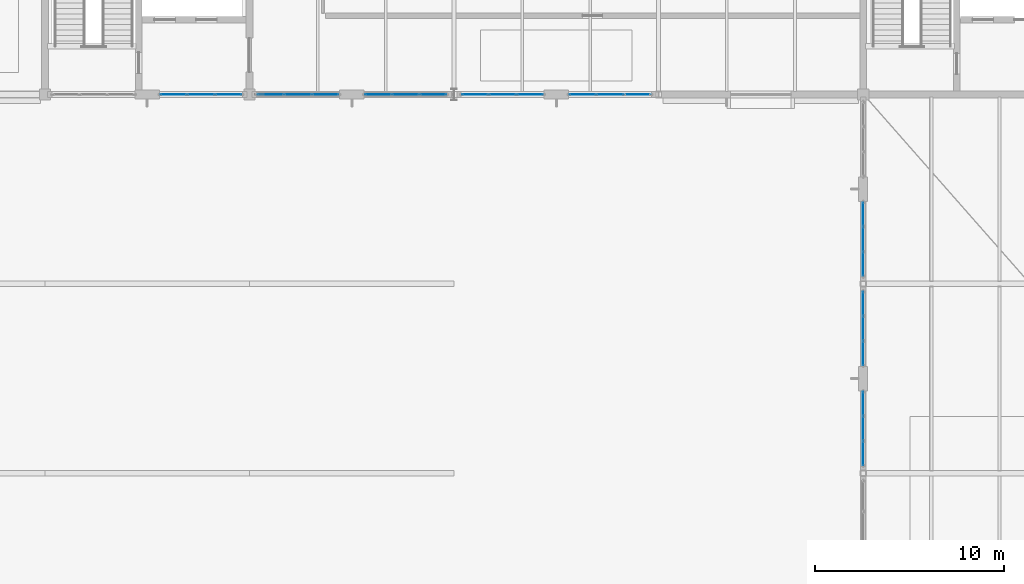
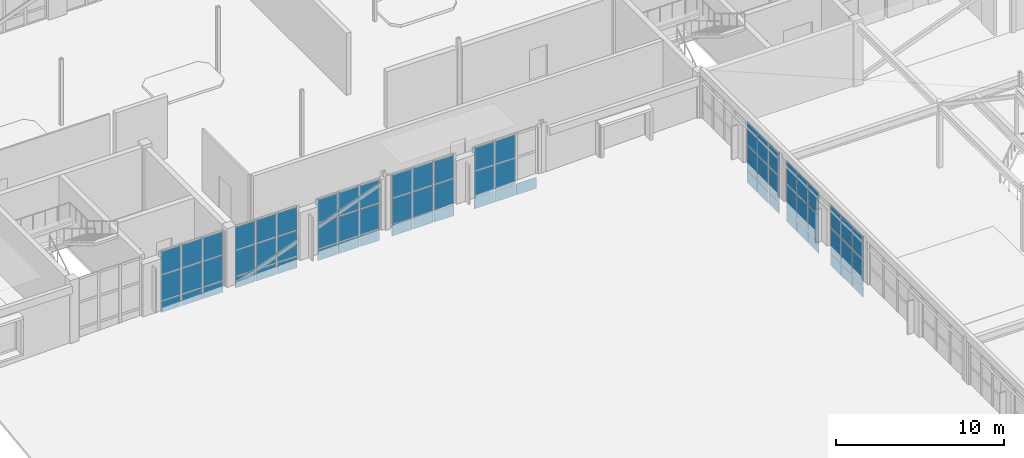
# One storey, part 59 of 86: 70 plates, 8 elements without a shape of their own.
"""IFC4 building model written with IfcOpenShell, lengths in metres."""

from ifc_helpers import new_model, si_unit, direction, frame, origin, origin_2d, place, context, subcontext, project, spatial, rectangle, extrude, material, layer, layer_set, type_object, element, aggregate, save


model = new_model("IFC4")

# Units and contexts
model_context = context("Model", 3, precision=1e-05, world=origin(), true_north=direction((0.0, 1.0)))
body_context = subcontext(model_context, "Body", "Model", "MODEL_VIEW")
ifc_project = project(units=[si_unit("LENGTHUNIT", "METRE"), si_unit("AREAUNIT", "SQUARE_METRE"), si_unit("VOLUMEUNIT", "CUBIC_METRE"), si_unit("PLANEANGLEUNIT", "RADIAN"), si_unit("MASSUNIT", "GRAM", prefix="KILO")], contexts=[model_context])

# Site, building, storey
site_placement = place(None, origin())
site = spatial("IfcSite", under=ifc_project, at=site_placement, CompositionType="ELEMENT")
building_placement = place(site_placement, origin())
building = spatial("IfcBuilding", under=site, at=building_placement, Name="Tasgan Crest Museum", CompositionType="ELEMENT")
storey_placement = place(building_placement, frame((0.0, 0.0, 24.0)))
storey = spatial("IfcBuildingStorey", under=building, at=storey_placement, Name="L04", CompositionType="ELEMENT", Elevation=24.0)

# Curtain wall, plates
ifc_material_1 = material(Name="Triple-Glazed Aluminium Curtain Wall", Category="aluminium")
ifc_layer_1 = layer(ifc_material_1, 0.179931640625, Name="CW-CORE-STRIP-48")
ifc_layer_set_1 = layer_set([ifc_layer_1], Name="Triple-Glazed Aluminium Curtain Wall")
curtain_wall_type_1 = type_object("IfcCurtainWallType", Name="CW-CORE-STRIP-48", PredefinedType="NOTDEFINED", material=ifc_layer_set_1)
curtain_wall_1_placement = place(storey_placement, origin())
curtain_wall_1 = element("IfcCurtainWall", 1, at=curtain_wall_1_placement, inside=storey, type_object=curtain_wall_type_1, Name="Curtain wall L04 172", PredefinedType="NOTDEFINED")
ifc_material_2 = material(Name="Insulated Spandrel Glass", Category="glass")
ifc_layer_2 = layer(ifc_material_2, 0.052001953125, Name="CW-PANEL-SPANDREL")
ifc_layer_set_2 = layer_set([ifc_layer_2], Name="Insulated Spandrel Glass")
plate_type_1 = type_object("IfcPlateType", Name="CW-PANEL-SPANDREL", PredefinedType="CURTAIN_PANEL", material=ifc_layer_set_2)
plate_1_placement = place(storey_placement, frame((17.591552734375, 82.0, 0.06005859375), z_axis=(0.0, 0.0, 1.0), x_axis=(1.0, 0.0, 0.0)))
plate_1 = element("IfcPlate", 2, at=plate_1_placement, type_object=plate_type_1, Name="CW19 panel 1.1", PredefinedType="CURTAIN_PANEL", context=body_context, shape_type="SweptSolid", body=[
    extrude(rectangle(XDim=1.373291015625, YDim=0.028076171875, at=origin_2d()), origin(), (0.0, 0.0, 1.0), 0.81005859375),
])
plate_2_placement = place(storey_placement, frame((19.0400390625, 82.0, 0.06005859375), z_axis=(0.0, 0.0, 1.0), x_axis=(1.0, 0.0, 0.0)))
plate_2 = element("IfcPlate", 3, at=plate_2_placement, type_object=plate_type_1, Name="CW19 panel 2.1", PredefinedType="CURTAIN_PANEL", context=body_context, shape_type="SweptSolid", body=[
    extrude(rectangle(XDim=1.4033203125, YDim=0.028076171875, at=origin_2d()), origin(), (0.0, 0.0, 1.0), 0.81005859375),
])
plate_3_placement = place(storey_placement, frame((20.48828125, 82.0, 0.06005859375), z_axis=(0.0, 0.0, 1.0), x_axis=(1.0, 0.0, 0.0)))
plate_3 = element("IfcPlate", 4, at=plate_3_placement, type_object=plate_type_1, Name="CW19 panel 3.1", PredefinedType="CURTAIN_PANEL", context=body_context, shape_type="SweptSolid", body=[
    extrude(rectangle(XDim=1.373291015625, YDim=0.028076171875, at=origin_2d()), origin(), (0.0, 0.0, 1.0), 0.81005859375),
])

ifc_material_3 = material(Name="Triple-Glazed Aluminium Curtain Wall", Category="aluminium")
ifc_layer_3 = layer(ifc_material_3, 0.179931640625, Name="CW-GAL-X-48")
ifc_layer_set_3 = layer_set([ifc_layer_3], Name="Triple-Glazed Aluminium Curtain Wall")
curtain_wall_type_2 = type_object("IfcCurtainWallType", Name="CW-GAL-X-48", PredefinedType="NOTDEFINED", material=ifc_layer_set_3)
curtain_wall_2_placement = place(storey_placement, origin())
curtain_wall_2 = element("IfcCurtainWall", 5, at=curtain_wall_2_placement, inside=storey, type_object=curtain_wall_type_2, Name="Curtain wall L04 173", PredefinedType="NOTDEFINED")
plate_4_placement = place(storey_placement, frame((22.711669921875, 82.0, 0.06005859375), z_axis=(0.0, 0.0, 1.0), x_axis=(1.0, 0.0, 0.0)))
plate_4 = element("IfcPlate", 6, at=plate_4_placement, type_object=plate_type_1, Name="CW13 panel 1.1", PredefinedType="CURTAIN_PANEL", context=body_context, shape_type="SweptSolid", body=[
    extrude(rectangle(XDim=1.373291015625, YDim=0.028076171875, at=origin_2d()), origin(), (0.0, 0.0, 1.0), 0.81005859375),
])
plate_5_placement = place(storey_placement, frame((24.159912109375, 82.0, 0.06005859375), z_axis=(0.0, 0.0, 1.0), x_axis=(1.0, 0.0, 0.0)))
plate_5 = element("IfcPlate", 7, at=plate_5_placement, type_object=plate_type_1, Name="CW13 panel 2.1", PredefinedType="CURTAIN_PANEL", context=body_context, shape_type="SweptSolid", body=[
    extrude(rectangle(XDim=1.4033203125, YDim=0.028076171875, at=origin_2d()), origin(), (0.0, 0.0, 1.0), 0.81005859375),
])
plate_6_placement = place(storey_placement, frame((25.6083984375, 82.0, 0.06005859375), z_axis=(0.0, 0.0, 1.0), x_axis=(1.0, 0.0, 0.0)))
plate_6 = element("IfcPlate", 8, at=plate_6_placement, type_object=plate_type_1, Name="CW13 panel 3.1", PredefinedType="CURTAIN_PANEL", context=body_context, shape_type="SweptSolid", body=[
    extrude(rectangle(XDim=1.373291015625, YDim=0.028076171875, at=origin_2d()), origin(), (0.0, 0.0, 1.0), 0.81005859375),
])

curtain_wall_3_placement = place(storey_placement, origin())
curtain_wall_3 = element("IfcCurtainWall", 9, at=curtain_wall_3_placement, inside=storey, type_object=curtain_wall_type_2, Name="Curtain wall L04 174", PredefinedType="NOTDEFINED")
plate_7_placement = place(storey_placement, frame((28.3916015625, 82.0, 0.06005859375), z_axis=(0.0, 0.0, 1.0), x_axis=(1.0, 0.0, 0.0)))
plate_7 = element("IfcPlate", 10, at=plate_7_placement, type_object=plate_type_1, Name="CW13 panel 1.1", PredefinedType="CURTAIN_PANEL", context=body_context, shape_type="SweptSolid", body=[
    extrude(rectangle(XDim=1.373291015625, YDim=0.028076171875, at=origin_2d()), origin(), (0.0, 0.0, 1.0), 0.81005859375),
])
plate_8_placement = place(storey_placement, frame((29.840087890625, 82.0, 0.06005859375), z_axis=(0.0, 0.0, 1.0), x_axis=(1.0, 0.0, 0.0)))
plate_8 = element("IfcPlate", 11, at=plate_8_placement, type_object=plate_type_1, Name="CW13 panel 2.1", PredefinedType="CURTAIN_PANEL", context=body_context, shape_type="SweptSolid", body=[
    extrude(rectangle(XDim=1.4033203125, YDim=0.028076171875, at=origin_2d()), origin(), (0.0, 0.0, 1.0), 0.81005859375),
])
plate_9_placement = place(storey_placement, frame((31.288330078125, 82.0, 0.06005859375), z_axis=(0.0, 0.0, 1.0), x_axis=(1.0, 0.0, 0.0)))
plate_9 = element("IfcPlate", 12, at=plate_9_placement, type_object=plate_type_1, Name="CW13 panel 3.1", PredefinedType="CURTAIN_PANEL", context=body_context, shape_type="SweptSolid", body=[
    extrude(rectangle(XDim=1.373291015625, YDim=0.028076171875, at=origin_2d()), origin(), (0.0, 0.0, 1.0), 0.81005859375),
])

curtain_wall_4_placement = place(storey_placement, origin())
curtain_wall_4 = element("IfcCurtainWall", 13, at=curtain_wall_4_placement, inside=storey, type_object=curtain_wall_type_2, Name="Curtain wall L04 175", PredefinedType="NOTDEFINED")
plate_10_placement = place(storey_placement, frame((33.51171875, 82.0, 0.06005859375), z_axis=(0.0, 0.0, 1.0), x_axis=(1.0, 0.0, 0.0)))
plate_10 = element("IfcPlate", 14, at=plate_10_placement, type_object=plate_type_1, Name="CW13 panel 1.1", PredefinedType="CURTAIN_PANEL", context=body_context, shape_type="SweptSolid", body=[
    extrude(rectangle(XDim=1.373291015625, YDim=0.028076171875, at=origin_2d()), origin(), (0.0, 0.0, 1.0), 0.81005859375),
])
plate_11_placement = place(storey_placement, frame((34.9599609375, 82.0, 0.06005859375), z_axis=(0.0, 0.0, 1.0), x_axis=(1.0, 0.0, 0.0)))
plate_11 = element("IfcPlate", 15, at=plate_11_placement, type_object=plate_type_1, Name="CW13 panel 2.1", PredefinedType="CURTAIN_PANEL", context=body_context, shape_type="SweptSolid", body=[
    extrude(rectangle(XDim=1.4033203125, YDim=0.028076171875, at=origin_2d()), origin(), (0.0, 0.0, 1.0), 0.81005859375),
])
plate_12_placement = place(storey_placement, frame((36.408447265625, 82.0, 0.06005859375), z_axis=(0.0, 0.0, 1.0), x_axis=(1.0, 0.0, 0.0)))
plate_12 = element("IfcPlate", 16, at=plate_12_placement, type_object=plate_type_1, Name="CW13 panel 3.1", PredefinedType="CURTAIN_PANEL", context=body_context, shape_type="SweptSolid", body=[
    extrude(rectangle(XDim=1.373291015625, YDim=0.028076171875, at=origin_2d()), origin(), (0.0, 0.0, 1.0), 0.81005859375),
])

curtain_wall_5_placement = place(storey_placement, origin())
curtain_wall_5 = element("IfcCurtainWall", 17, at=curtain_wall_5_placement, inside=storey, type_object=curtain_wall_type_2, Name="Curtain wall L04 176", PredefinedType="NOTDEFINED")
plate_13_placement = place(storey_placement, frame((39.191650390625, 82.0, 0.06005859375), z_axis=(0.0, 0.0, 1.0), x_axis=(1.0, 0.0, 0.0)))
plate_13 = element("IfcPlate", 18, at=plate_13_placement, type_object=plate_type_1, Name="CW13 panel 1.1", PredefinedType="CURTAIN_PANEL", context=body_context, shape_type="SweptSolid", body=[
    extrude(rectangle(XDim=1.373291015625, YDim=0.028076171875, at=origin_2d()), origin(), (0.0, 0.0, 1.0), 0.81005859375),
])
plate_14_placement = place(storey_placement, frame((40.639892578125, 82.0, 0.06005859375), z_axis=(0.0, 0.0, 1.0), x_axis=(1.0, 0.0, 0.0)))
plate_14 = element("IfcPlate", 19, at=plate_14_placement, type_object=plate_type_1, Name="CW13 panel 2.1", PredefinedType="CURTAIN_PANEL", context=body_context, shape_type="SweptSolid", body=[
    extrude(rectangle(XDim=1.4033203125, YDim=0.028076171875, at=origin_2d()), origin(), (0.0, 0.0, 1.0), 0.81005859375),
])
plate_15_placement = place(storey_placement, frame((42.08837890625, 82.0, 0.06005859375), z_axis=(0.0, 0.0, 1.0), x_axis=(1.0, 0.0, 0.0)))
plate_15 = element("IfcPlate", 20, at=plate_15_placement, type_object=plate_type_1, Name="CW13 panel 3.1", PredefinedType="CURTAIN_PANEL", context=body_context, shape_type="SweptSolid", body=[
    extrude(rectangle(XDim=1.373291015625, YDim=0.028076171875, at=origin_2d()), origin(), (0.0, 0.0, 1.0), 0.81005859375),
])

ifc_material_4 = material(Name="Triple-Glazed Aluminium Curtain Wall", Category="aluminium")
ifc_layer_4 = layer(ifc_material_4, 0.179931640625, Name="CW-DRUM-Y10-48")
ifc_layer_set_4 = layer_set([ifc_layer_4], Name="Triple-Glazed Aluminium Curtain Wall")
curtain_wall_type_3 = type_object("IfcCurtainWallType", Name="CW-DRUM-Y10-48", PredefinedType="NOTDEFINED", material=ifc_layer_set_4)
curtain_wall_6_placement = place(storey_placement, origin())
curtain_wall_6 = element("IfcCurtainWall", 21, at=curtain_wall_6_placement, inside=storey, type_object=curtain_wall_type_3, Name="Curtain wall L04 178", PredefinedType="NOTDEFINED")
plate_16_placement = place(storey_placement, frame((54.0, 75.675048828125, 0.06005859375), z_axis=(0.0, 0.0, 1.0), x_axis=(0.0, -1.0, 0.0)))
plate_16 = element("IfcPlate", 22, at=plate_16_placement, type_object=plate_type_1, Name="CW04 panel 1.1", PredefinedType="CURTAIN_PANEL", context=body_context, shape_type="SweptSolid", body=[
    extrude(rectangle(XDim=1.239990234375, YDim=0.028076171875, at=origin_2d()), origin(), (0.0, 0.0, 1.0), 0.81005859375),
])
plate_17_placement = place(storey_placement, frame((54.0, 74.360107421875, 0.06005859375), z_axis=(0.0, 0.0, 1.0), x_axis=(0.0, -1.0, 0.0)))
plate_17 = element("IfcPlate", 23, at=plate_17_placement, type_object=plate_type_1, Name="CW04 panel 2.1", PredefinedType="CURTAIN_PANEL", context=body_context, shape_type="SweptSolid", body=[
    extrude(rectangle(XDim=1.27001953125, YDim=0.028076171875, at=origin_2d()), origin(), (0.0, 0.0, 1.0), 0.81005859375),
])
plate_18_placement = place(storey_placement, frame((54.0, 73.044921875, 0.06005859375), z_axis=(0.0, 0.0, 1.0), x_axis=(0.0, -1.0, 0.0)))
plate_18 = element("IfcPlate", 24, at=plate_18_placement, type_object=plate_type_1, Name="CW04 panel 3.1", PredefinedType="CURTAIN_PANEL", context=body_context, shape_type="SweptSolid", body=[
    extrude(rectangle(XDim=1.239990234375, YDim=0.028076171875, at=origin_2d()), origin(), (0.0, 0.0, 1.0), 0.81005859375),
])

curtain_wall_7_placement = place(storey_placement, origin())
curtain_wall_7 = element("IfcCurtainWall", 25, at=curtain_wall_7_placement, inside=storey, type_object=curtain_wall_type_3, Name="Curtain wall L04 179", PredefinedType="NOTDEFINED")
plate_19_placement = place(storey_placement, frame((54.0, 70.955078125, 0.06005859375), z_axis=(0.0, 0.0, 1.0), x_axis=(0.0, -1.0, 0.0)))
plate_19 = element("IfcPlate", 26, at=plate_19_placement, type_object=plate_type_1, Name="CW04 panel 1.1", PredefinedType="CURTAIN_PANEL", context=body_context, shape_type="SweptSolid", body=[
    extrude(rectangle(XDim=1.239990234375, YDim=0.028076171875, at=origin_2d()), origin(), (0.0, 0.0, 1.0), 0.81005859375),
])
plate_20_placement = place(storey_placement, frame((54.0, 69.639892578125, 0.06005859375), z_axis=(0.0, 0.0, 1.0), x_axis=(0.0, -1.0, 0.0)))
plate_20 = element("IfcPlate", 27, at=plate_20_placement, type_object=plate_type_1, Name="CW04 panel 2.1", PredefinedType="CURTAIN_PANEL", context=body_context, shape_type="SweptSolid", body=[
    extrude(rectangle(XDim=1.27001953125, YDim=0.028076171875, at=origin_2d()), origin(), (0.0, 0.0, 1.0), 0.81005859375),
])
plate_21_placement = place(storey_placement, frame((54.0, 68.324951171875, 0.06005859375), z_axis=(0.0, 0.0, 1.0), x_axis=(0.0, -1.0, 0.0)))
plate_21 = element("IfcPlate", 28, at=plate_21_placement, type_object=plate_type_1, Name="CW04 panel 3.1", PredefinedType="CURTAIN_PANEL", context=body_context, shape_type="SweptSolid", body=[
    extrude(rectangle(XDim=1.239990234375, YDim=0.028076171875, at=origin_2d()), origin(), (0.0, 0.0, 1.0), 0.81005859375),
])

curtain_wall_8_placement = place(storey_placement, origin())
curtain_wall_8 = element("IfcCurtainWall", 29, at=curtain_wall_8_placement, inside=storey, type_object=curtain_wall_type_3, Name="Curtain wall L04 180", PredefinedType="NOTDEFINED")
plate_22_placement = place(storey_placement, frame((54.0, 65.675048828125, 0.06005859375), z_axis=(0.0, 0.0, 1.0), x_axis=(0.0, -1.0, 0.0)))
plate_22 = element("IfcPlate", 30, at=plate_22_placement, type_object=plate_type_1, Name="CW04 panel 1.1", PredefinedType="CURTAIN_PANEL", context=body_context, shape_type="SweptSolid", body=[
    extrude(rectangle(XDim=1.239990234375, YDim=0.028076171875, at=origin_2d()), origin(), (0.0, 0.0, 1.0), 0.81005859375),
])
plate_23_placement = place(storey_placement, frame((54.0, 64.360107421875, 0.06005859375), z_axis=(0.0, 0.0, 1.0), x_axis=(0.0, -1.0, 0.0)))
plate_23 = element("IfcPlate", 31, at=plate_23_placement, type_object=plate_type_1, Name="CW04 panel 2.1", PredefinedType="CURTAIN_PANEL", context=body_context, shape_type="SweptSolid", body=[
    extrude(rectangle(XDim=1.27001953125, YDim=0.028076171875, at=origin_2d()), origin(), (0.0, 0.0, 1.0), 0.81005859375),
])
plate_24_placement = place(storey_placement, frame((54.0, 63.044921875, 0.06005859375), z_axis=(0.0, 0.0, 1.0), x_axis=(0.0, -1.0, 0.0)))
plate_24 = element("IfcPlate", 32, at=plate_24_placement, type_object=plate_type_1, Name="CW04 panel 3.1", PredefinedType="CURTAIN_PANEL", context=body_context, shape_type="SweptSolid", body=[
    extrude(rectangle(XDim=1.239990234375, YDim=0.028076171875, at=origin_2d()), origin(), (0.0, 0.0, 1.0), 0.81005859375),
])

# Plate
ifc_material_5 = material(Name="Low-E Triple Glazing", Category="glass")
ifc_layer_5 = layer(ifc_material_5, 0.0439453125, Name="CW-PANEL-TRIPLE")
ifc_layer_set_5 = layer_set([ifc_layer_5], Name="Low-E Triple Glazing")
plate_type_2 = type_object("IfcPlateType", Name="CW-PANEL-TRIPLE", PredefinedType="CURTAIN_PANEL", material=ifc_layer_set_5)
plate_25_placement = place(storey_placement, frame((17.591552734375, 82.0, 0.93017578125), z_axis=(0.0, 0.0, 1.0), x_axis=(1.0, 0.0, 0.0)))
plate_25 = element("IfcPlate", 33, at=plate_25_placement, type_object=plate_type_2, Name="CW19 panel 1.2", PredefinedType="CURTAIN_PANEL", context=body_context, shape_type="SweptSolid", body=[
    extrude(rectangle(XDim=1.373291015625, YDim=0.028076171875, at=origin_2d()), origin(), (0.0, 0.0, 1.0), 1.840087890625),
])

plate_26_placement = place(storey_placement, frame((17.591552734375, 82.0, 2.830078125), z_axis=(0.0, 0.0, 1.0), x_axis=(1.0, 0.0, 0.0)))
plate_26 = element("IfcPlate", 34, at=plate_26_placement, type_object=plate_type_2, Name="CW19 panel 1.3", PredefinedType="CURTAIN_PANEL", context=body_context, shape_type="SweptSolid", body=[
    extrude(rectangle(XDim=1.373291015625, YDim=0.028076171875, at=origin_2d()), origin(), (0.0, 0.0, 1.0), 1.669921875),
])

plate_27_placement = place(storey_placement, frame((19.0400390625, 82.0, 0.93017578125), z_axis=(0.0, 0.0, 1.0), x_axis=(1.0, 0.0, 0.0)))
plate_27 = element("IfcPlate", 35, at=plate_27_placement, type_object=plate_type_2, Name="CW19 panel 2.2", PredefinedType="CURTAIN_PANEL", context=body_context, shape_type="SweptSolid", body=[
    extrude(rectangle(XDim=1.4033203125, YDim=0.028076171875, at=origin_2d()), origin(), (0.0, 0.0, 1.0), 1.840087890625),
])

plate_28_placement = place(storey_placement, frame((19.0400390625, 82.0, 2.830078125), z_axis=(0.0, 0.0, 1.0), x_axis=(1.0, 0.0, 0.0)))
plate_28 = element("IfcPlate", 36, at=plate_28_placement, type_object=plate_type_2, Name="CW19 panel 2.3", PredefinedType="CURTAIN_PANEL", context=body_context, shape_type="SweptSolid", body=[
    extrude(rectangle(XDim=1.4033203125, YDim=0.028076171875, at=origin_2d()), origin(), (0.0, 0.0, 1.0), 1.669921875),
])

plate_29_placement = place(storey_placement, frame((20.48828125, 82.0, 0.93017578125), z_axis=(0.0, 0.0, 1.0), x_axis=(1.0, 0.0, 0.0)))
plate_29 = element("IfcPlate", 37, at=plate_29_placement, type_object=plate_type_2, Name="CW19 panel 3.2", PredefinedType="CURTAIN_PANEL", context=body_context, shape_type="SweptSolid", body=[
    extrude(rectangle(XDim=1.373291015625, YDim=0.028076171875, at=origin_2d()), origin(), (0.0, 0.0, 1.0), 1.840087890625),
])

plate_30_placement = place(storey_placement, frame((20.48828125, 82.0, 2.830078125), z_axis=(0.0, 0.0, 1.0), x_axis=(1.0, 0.0, 0.0)))
plate_30 = element("IfcPlate", 38, at=plate_30_placement, type_object=plate_type_2, Name="CW19 panel 3.3", PredefinedType="CURTAIN_PANEL", context=body_context, shape_type="SweptSolid", body=[
    extrude(rectangle(XDim=1.373291015625, YDim=0.028076171875, at=origin_2d()), origin(), (0.0, 0.0, 1.0), 1.669921875),
])

aggregate(curtain_wall_1, [plate_1, plate_25, plate_26, plate_2, plate_27, plate_28, plate_3, plate_29, plate_30])

plate_31_placement = place(storey_placement, frame((22.711669921875, 82.0, 0.93017578125), z_axis=(0.0, 0.0, 1.0), x_axis=(1.0, 0.0, 0.0)))
plate_31 = element("IfcPlate", 39, at=plate_31_placement, type_object=plate_type_2, Name="CW13 panel 1.2", PredefinedType="CURTAIN_PANEL", context=body_context, shape_type="SweptSolid", body=[
    extrude(rectangle(XDim=1.373291015625, YDim=0.028076171875, at=origin_2d()), origin(), (0.0, 0.0, 1.0), 1.840087890625),
])

plate_32_placement = place(storey_placement, frame((22.711669921875, 82.0, 2.830078125), z_axis=(0.0, 0.0, 1.0), x_axis=(1.0, 0.0, 0.0)))
plate_32 = element("IfcPlate", 40, at=plate_32_placement, type_object=plate_type_2, Name="CW13 panel 1.3", PredefinedType="CURTAIN_PANEL", context=body_context, shape_type="SweptSolid", body=[
    extrude(rectangle(XDim=1.373291015625, YDim=0.028076171875, at=origin_2d()), origin(), (0.0, 0.0, 1.0), 1.669921875),
])

plate_33_placement = place(storey_placement, frame((24.159912109375, 82.0, 0.93017578125), z_axis=(0.0, 0.0, 1.0), x_axis=(1.0, 0.0, 0.0)))
plate_33 = element("IfcPlate", 41, at=plate_33_placement, type_object=plate_type_2, Name="CW13 panel 2.2", PredefinedType="CURTAIN_PANEL", context=body_context, shape_type="SweptSolid", body=[
    extrude(rectangle(XDim=1.4033203125, YDim=0.028076171875, at=origin_2d()), origin(), (0.0, 0.0, 1.0), 1.840087890625),
])

plate_34_placement = place(storey_placement, frame((24.159912109375, 82.0, 2.830078125), z_axis=(0.0, 0.0, 1.0), x_axis=(1.0, 0.0, 0.0)))
plate_34 = element("IfcPlate", 42, at=plate_34_placement, type_object=plate_type_2, Name="CW13 panel 2.3", PredefinedType="CURTAIN_PANEL", context=body_context, shape_type="SweptSolid", body=[
    extrude(rectangle(XDim=1.4033203125, YDim=0.028076171875, at=origin_2d()), origin(), (0.0, 0.0, 1.0), 1.669921875),
])

plate_35_placement = place(storey_placement, frame((25.6083984375, 82.0, 0.93017578125), z_axis=(0.0, 0.0, 1.0), x_axis=(1.0, 0.0, 0.0)))
plate_35 = element("IfcPlate", 43, at=plate_35_placement, type_object=plate_type_2, Name="CW13 panel 3.2", PredefinedType="CURTAIN_PANEL", context=body_context, shape_type="SweptSolid", body=[
    extrude(rectangle(XDim=1.373291015625, YDim=0.028076171875, at=origin_2d()), origin(), (0.0, 0.0, 1.0), 1.840087890625),
])

plate_36_placement = place(storey_placement, frame((25.6083984375, 82.0, 2.830078125), z_axis=(0.0, 0.0, 1.0), x_axis=(1.0, 0.0, 0.0)))
plate_36 = element("IfcPlate", 44, at=plate_36_placement, type_object=plate_type_2, Name="CW13 panel 3.3", PredefinedType="CURTAIN_PANEL", context=body_context, shape_type="SweptSolid", body=[
    extrude(rectangle(XDim=1.373291015625, YDim=0.028076171875, at=origin_2d()), origin(), (0.0, 0.0, 1.0), 1.669921875),
])

aggregate(curtain_wall_2, [plate_4, plate_31, plate_32, plate_5, plate_33, plate_34, plate_6, plate_35, plate_36])

plate_37_placement = place(storey_placement, frame((28.3916015625, 82.0, 0.93017578125), z_axis=(0.0, 0.0, 1.0), x_axis=(1.0, 0.0, 0.0)))
plate_37 = element("IfcPlate", 45, at=plate_37_placement, type_object=plate_type_2, Name="CW13 panel 1.2", PredefinedType="CURTAIN_PANEL", context=body_context, shape_type="SweptSolid", body=[
    extrude(rectangle(XDim=1.373291015625, YDim=0.028076171875, at=origin_2d()), origin(), (0.0, 0.0, 1.0), 1.840087890625),
])

plate_38_placement = place(storey_placement, frame((28.3916015625, 82.0, 2.830078125), z_axis=(0.0, 0.0, 1.0), x_axis=(1.0, 0.0, 0.0)))
plate_38 = element("IfcPlate", 46, at=plate_38_placement, type_object=plate_type_2, Name="CW13 panel 1.3", PredefinedType="CURTAIN_PANEL", context=body_context, shape_type="SweptSolid", body=[
    extrude(rectangle(XDim=1.373291015625, YDim=0.028076171875, at=origin_2d()), origin(), (0.0, 0.0, 1.0), 1.669921875),
])

plate_39_placement = place(storey_placement, frame((29.840087890625, 82.0, 0.93017578125), z_axis=(0.0, 0.0, 1.0), x_axis=(1.0, 0.0, 0.0)))
plate_39 = element("IfcPlate", 47, at=plate_39_placement, type_object=plate_type_2, Name="CW13 panel 2.2", PredefinedType="CURTAIN_PANEL", context=body_context, shape_type="SweptSolid", body=[
    extrude(rectangle(XDim=1.4033203125, YDim=0.028076171875, at=origin_2d()), origin(), (0.0, 0.0, 1.0), 1.840087890625),
])

plate_40_placement = place(storey_placement, frame((29.840087890625, 82.0, 2.830078125), z_axis=(0.0, 0.0, 1.0), x_axis=(1.0, 0.0, 0.0)))
plate_40 = element("IfcPlate", 48, at=plate_40_placement, type_object=plate_type_2, Name="CW13 panel 2.3", PredefinedType="CURTAIN_PANEL", context=body_context, shape_type="SweptSolid", body=[
    extrude(rectangle(XDim=1.4033203125, YDim=0.028076171875, at=origin_2d()), origin(), (0.0, 0.0, 1.0), 1.669921875),
])

plate_41_placement = place(storey_placement, frame((31.288330078125, 82.0, 0.93017578125), z_axis=(0.0, 0.0, 1.0), x_axis=(1.0, 0.0, 0.0)))
plate_41 = element("IfcPlate", 49, at=plate_41_placement, type_object=plate_type_2, Name="CW13 panel 3.2", PredefinedType="CURTAIN_PANEL", context=body_context, shape_type="SweptSolid", body=[
    extrude(rectangle(XDim=1.373291015625, YDim=0.028076171875, at=origin_2d()), origin(), (0.0, 0.0, 1.0), 1.840087890625),
])

plate_42_placement = place(storey_placement, frame((31.288330078125, 82.0, 2.830078125), z_axis=(0.0, 0.0, 1.0), x_axis=(1.0, 0.0, 0.0)))
plate_42 = element("IfcPlate", 50, at=plate_42_placement, type_object=plate_type_2, Name="CW13 panel 3.3", PredefinedType="CURTAIN_PANEL", context=body_context, shape_type="SweptSolid", body=[
    extrude(rectangle(XDim=1.373291015625, YDim=0.028076171875, at=origin_2d()), origin(), (0.0, 0.0, 1.0), 1.669921875),
])

aggregate(curtain_wall_3, [plate_7, plate_37, plate_38, plate_8, plate_39, plate_40, plate_9, plate_41, plate_42])

plate_43_placement = place(storey_placement, frame((33.51171875, 82.0, 0.93017578125), z_axis=(0.0, 0.0, 1.0), x_axis=(1.0, 0.0, 0.0)))
plate_43 = element("IfcPlate", 51, at=plate_43_placement, type_object=plate_type_2, Name="CW13 panel 1.2", PredefinedType="CURTAIN_PANEL", context=body_context, shape_type="SweptSolid", body=[
    extrude(rectangle(XDim=1.373291015625, YDim=0.028076171875, at=origin_2d()), origin(), (0.0, 0.0, 1.0), 1.840087890625),
])

plate_44_placement = place(storey_placement, frame((33.51171875, 82.0, 2.830078125), z_axis=(0.0, 0.0, 1.0), x_axis=(1.0, 0.0, 0.0)))
plate_44 = element("IfcPlate", 52, at=plate_44_placement, type_object=plate_type_2, Name="CW13 panel 1.3", PredefinedType="CURTAIN_PANEL", context=body_context, shape_type="SweptSolid", body=[
    extrude(rectangle(XDim=1.373291015625, YDim=0.028076171875, at=origin_2d()), origin(), (0.0, 0.0, 1.0), 1.669921875),
])

plate_45_placement = place(storey_placement, frame((34.9599609375, 82.0, 0.93017578125), z_axis=(0.0, 0.0, 1.0), x_axis=(1.0, 0.0, 0.0)))
plate_45 = element("IfcPlate", 53, at=plate_45_placement, type_object=plate_type_2, Name="CW13 panel 2.2", PredefinedType="CURTAIN_PANEL", context=body_context, shape_type="SweptSolid", body=[
    extrude(rectangle(XDim=1.4033203125, YDim=0.028076171875, at=origin_2d()), origin(), (0.0, 0.0, 1.0), 1.840087890625),
])

plate_46_placement = place(storey_placement, frame((34.9599609375, 82.0, 2.830078125), z_axis=(0.0, 0.0, 1.0), x_axis=(1.0, 0.0, 0.0)))
plate_46 = element("IfcPlate", 54, at=plate_46_placement, type_object=plate_type_2, Name="CW13 panel 2.3", PredefinedType="CURTAIN_PANEL", context=body_context, shape_type="SweptSolid", body=[
    extrude(rectangle(XDim=1.4033203125, YDim=0.028076171875, at=origin_2d()), origin(), (0.0, 0.0, 1.0), 1.669921875),
])

plate_47_placement = place(storey_placement, frame((36.408447265625, 82.0, 0.93017578125), z_axis=(0.0, 0.0, 1.0), x_axis=(1.0, 0.0, 0.0)))
plate_47 = element("IfcPlate", 55, at=plate_47_placement, type_object=plate_type_2, Name="CW13 panel 3.2", PredefinedType="CURTAIN_PANEL", context=body_context, shape_type="SweptSolid", body=[
    extrude(rectangle(XDim=1.373291015625, YDim=0.028076171875, at=origin_2d()), origin(), (0.0, 0.0, 1.0), 1.840087890625),
])

plate_48_placement = place(storey_placement, frame((36.408447265625, 82.0, 2.830078125), z_axis=(0.0, 0.0, 1.0), x_axis=(1.0, 0.0, 0.0)))
plate_48 = element("IfcPlate", 56, at=plate_48_placement, type_object=plate_type_2, Name="CW13 panel 3.3", PredefinedType="CURTAIN_PANEL", context=body_context, shape_type="SweptSolid", body=[
    extrude(rectangle(XDim=1.373291015625, YDim=0.028076171875, at=origin_2d()), origin(), (0.0, 0.0, 1.0), 1.669921875),
])

aggregate(curtain_wall_4, [plate_10, plate_43, plate_44, plate_11, plate_45, plate_46, plate_12, plate_47, plate_48])

plate_49_placement = place(storey_placement, frame((39.191650390625, 82.0, 0.93017578125), z_axis=(0.0, 0.0, 1.0), x_axis=(1.0, 0.0, 0.0)))
plate_49 = element("IfcPlate", 57, at=plate_49_placement, type_object=plate_type_2, Name="CW13 panel 1.2", PredefinedType="CURTAIN_PANEL", context=body_context, shape_type="SweptSolid", body=[
    extrude(rectangle(XDim=1.373291015625, YDim=0.028076171875, at=origin_2d()), origin(), (0.0, 0.0, 1.0), 1.840087890625),
])

plate_50_placement = place(storey_placement, frame((39.191650390625, 82.0, 2.830078125), z_axis=(0.0, 0.0, 1.0), x_axis=(1.0, 0.0, 0.0)))
plate_50 = element("IfcPlate", 58, at=plate_50_placement, type_object=plate_type_2, Name="CW13 panel 1.3", PredefinedType="CURTAIN_PANEL", context=body_context, shape_type="SweptSolid", body=[
    extrude(rectangle(XDim=1.373291015625, YDim=0.028076171875, at=origin_2d()), origin(), (0.0, 0.0, 1.0), 1.669921875),
])

plate_51_placement = place(storey_placement, frame((40.639892578125, 82.0, 0.93017578125), z_axis=(0.0, 0.0, 1.0), x_axis=(1.0, 0.0, 0.0)))
plate_51 = element("IfcPlate", 59, at=plate_51_placement, type_object=plate_type_2, Name="CW13 panel 2.2", PredefinedType="CURTAIN_PANEL", context=body_context, shape_type="SweptSolid", body=[
    extrude(rectangle(XDim=1.4033203125, YDim=0.028076171875, at=origin_2d()), origin(), (0.0, 0.0, 1.0), 1.840087890625),
])

plate_52_placement = place(storey_placement, frame((40.639892578125, 82.0, 2.830078125), z_axis=(0.0, 0.0, 1.0), x_axis=(1.0, 0.0, 0.0)))
plate_52 = element("IfcPlate", 60, at=plate_52_placement, type_object=plate_type_2, Name="CW13 panel 2.3", PredefinedType="CURTAIN_PANEL", context=body_context, shape_type="SweptSolid", body=[
    extrude(rectangle(XDim=1.4033203125, YDim=0.028076171875, at=origin_2d()), origin(), (0.0, 0.0, 1.0), 1.669921875),
])

aggregate(curtain_wall_5, [plate_13, plate_49, plate_50, plate_14, plate_51, plate_52, plate_15])

plate_53_placement = place(storey_placement, frame((54.0, 75.675048828125, 0.93017578125), z_axis=(0.0, 0.0, 1.0), x_axis=(0.0, -1.0, 0.0)))
plate_53 = element("IfcPlate", 61, at=plate_53_placement, type_object=plate_type_2, Name="CW04 panel 1.2", PredefinedType="CURTAIN_PANEL", context=body_context, shape_type="SweptSolid", body=[
    extrude(rectangle(XDim=1.239990234375, YDim=0.028076171875, at=origin_2d()), origin(), (0.0, 0.0, 1.0), 1.840087890625),
])

plate_54_placement = place(storey_placement, frame((54.0, 75.675048828125, 2.830078125), z_axis=(0.0, 0.0, 1.0), x_axis=(0.0, -1.0, 0.0)))
plate_54 = element("IfcPlate", 62, at=plate_54_placement, type_object=plate_type_2, Name="CW04 panel 1.3", PredefinedType="CURTAIN_PANEL", context=body_context, shape_type="SweptSolid", body=[
    extrude(rectangle(XDim=1.239990234375, YDim=0.028076171875, at=origin_2d()), origin(), (0.0, 0.0, 1.0), 1.669921875),
])

plate_55_placement = place(storey_placement, frame((54.0, 74.360107421875, 0.93017578125), z_axis=(0.0, 0.0, 1.0), x_axis=(0.0, -1.0, 0.0)))
plate_55 = element("IfcPlate", 63, at=plate_55_placement, type_object=plate_type_2, Name="CW04 panel 2.2", PredefinedType="CURTAIN_PANEL", context=body_context, shape_type="SweptSolid", body=[
    extrude(rectangle(XDim=1.27001953125, YDim=0.028076171875, at=origin_2d()), origin(), (0.0, 0.0, 1.0), 1.840087890625),
])

plate_56_placement = place(storey_placement, frame((54.0, 74.360107421875, 2.830078125), z_axis=(0.0, 0.0, 1.0), x_axis=(0.0, -1.0, 0.0)))
plate_56 = element("IfcPlate", 64, at=plate_56_placement, type_object=plate_type_2, Name="CW04 panel 2.3", PredefinedType="CURTAIN_PANEL", context=body_context, shape_type="SweptSolid", body=[
    extrude(rectangle(XDim=1.27001953125, YDim=0.028076171875, at=origin_2d()), origin(), (0.0, 0.0, 1.0), 1.669921875),
])

plate_57_placement = place(storey_placement, frame((54.0, 73.044921875, 0.93017578125), z_axis=(0.0, 0.0, 1.0), x_axis=(0.0, -1.0, 0.0)))
plate_57 = element("IfcPlate", 65, at=plate_57_placement, type_object=plate_type_2, Name="CW04 panel 3.2", PredefinedType="CURTAIN_PANEL", context=body_context, shape_type="SweptSolid", body=[
    extrude(rectangle(XDim=1.239990234375, YDim=0.028076171875, at=origin_2d()), origin(), (0.0, 0.0, 1.0), 1.840087890625),
])

plate_58_placement = place(storey_placement, frame((54.0, 73.044921875, 2.830078125), z_axis=(0.0, 0.0, 1.0), x_axis=(0.0, -1.0, 0.0)))
plate_58 = element("IfcPlate", 66, at=plate_58_placement, type_object=plate_type_2, Name="CW04 panel 3.3", PredefinedType="CURTAIN_PANEL", context=body_context, shape_type="SweptSolid", body=[
    extrude(rectangle(XDim=1.239990234375, YDim=0.028076171875, at=origin_2d()), origin(), (0.0, 0.0, 1.0), 1.669921875),
])

aggregate(curtain_wall_6, [plate_16, plate_53, plate_54, plate_17, plate_55, plate_56, plate_18, plate_57, plate_58])

plate_59_placement = place(storey_placement, frame((54.0, 70.955078125, 0.93017578125), z_axis=(0.0, 0.0, 1.0), x_axis=(0.0, -1.0, 0.0)))
plate_59 = element("IfcPlate", 67, at=plate_59_placement, type_object=plate_type_2, Name="CW04 panel 1.2", PredefinedType="CURTAIN_PANEL", context=body_context, shape_type="SweptSolid", body=[
    extrude(rectangle(XDim=1.239990234375, YDim=0.028076171875, at=origin_2d()), origin(), (0.0, 0.0, 1.0), 1.840087890625),
])

plate_60_placement = place(storey_placement, frame((54.0, 70.955078125, 2.830078125), z_axis=(0.0, 0.0, 1.0), x_axis=(0.0, -1.0, 0.0)))
plate_60 = element("IfcPlate", 68, at=plate_60_placement, type_object=plate_type_2, Name="CW04 panel 1.3", PredefinedType="CURTAIN_PANEL", context=body_context, shape_type="SweptSolid", body=[
    extrude(rectangle(XDim=1.239990234375, YDim=0.028076171875, at=origin_2d()), origin(), (0.0, 0.0, 1.0), 1.669921875),
])

plate_61_placement = place(storey_placement, frame((54.0, 69.639892578125, 0.93017578125), z_axis=(0.0, 0.0, 1.0), x_axis=(0.0, -1.0, 0.0)))
plate_61 = element("IfcPlate", 69, at=plate_61_placement, type_object=plate_type_2, Name="CW04 panel 2.2", PredefinedType="CURTAIN_PANEL", context=body_context, shape_type="SweptSolid", body=[
    extrude(rectangle(XDim=1.27001953125, YDim=0.028076171875, at=origin_2d()), origin(), (0.0, 0.0, 1.0), 1.840087890625),
])

plate_62_placement = place(storey_placement, frame((54.0, 69.639892578125, 2.830078125), z_axis=(0.0, 0.0, 1.0), x_axis=(0.0, -1.0, 0.0)))
plate_62 = element("IfcPlate", 70, at=plate_62_placement, type_object=plate_type_2, Name="CW04 panel 2.3", PredefinedType="CURTAIN_PANEL", context=body_context, shape_type="SweptSolid", body=[
    extrude(rectangle(XDim=1.27001953125, YDim=0.028076171875, at=origin_2d()), origin(), (0.0, 0.0, 1.0), 1.669921875),
])

plate_63_placement = place(storey_placement, frame((54.0, 68.324951171875, 0.93017578125), z_axis=(0.0, 0.0, 1.0), x_axis=(0.0, -1.0, 0.0)))
plate_63 = element("IfcPlate", 71, at=plate_63_placement, type_object=plate_type_2, Name="CW04 panel 3.2", PredefinedType="CURTAIN_PANEL", context=body_context, shape_type="SweptSolid", body=[
    extrude(rectangle(XDim=1.239990234375, YDim=0.028076171875, at=origin_2d()), origin(), (0.0, 0.0, 1.0), 1.840087890625),
])

plate_64_placement = place(storey_placement, frame((54.0, 68.324951171875, 2.830078125), z_axis=(0.0, 0.0, 1.0), x_axis=(0.0, -1.0, 0.0)))
plate_64 = element("IfcPlate", 72, at=plate_64_placement, type_object=plate_type_2, Name="CW04 panel 3.3", PredefinedType="CURTAIN_PANEL", context=body_context, shape_type="SweptSolid", body=[
    extrude(rectangle(XDim=1.239990234375, YDim=0.028076171875, at=origin_2d()), origin(), (0.0, 0.0, 1.0), 1.669921875),
])

aggregate(curtain_wall_7, [plate_19, plate_59, plate_60, plate_20, plate_61, plate_62, plate_21, plate_63, plate_64])

plate_65_placement = place(storey_placement, frame((54.0, 65.675048828125, 0.93017578125), z_axis=(0.0, 0.0, 1.0), x_axis=(0.0, -1.0, 0.0)))
plate_65 = element("IfcPlate", 73, at=plate_65_placement, type_object=plate_type_2, Name="CW04 panel 1.2", PredefinedType="CURTAIN_PANEL", context=body_context, shape_type="SweptSolid", body=[
    extrude(rectangle(XDim=1.239990234375, YDim=0.028076171875, at=origin_2d()), origin(), (0.0, 0.0, 1.0), 1.840087890625),
])

plate_66_placement = place(storey_placement, frame((54.0, 65.675048828125, 2.830078125), z_axis=(0.0, 0.0, 1.0), x_axis=(0.0, -1.0, 0.0)))
plate_66 = element("IfcPlate", 74, at=plate_66_placement, type_object=plate_type_2, Name="CW04 panel 1.3", PredefinedType="CURTAIN_PANEL", context=body_context, shape_type="SweptSolid", body=[
    extrude(rectangle(XDim=1.239990234375, YDim=0.028076171875, at=origin_2d()), origin(), (0.0, 0.0, 1.0), 1.669921875),
])

plate_67_placement = place(storey_placement, frame((54.0, 64.360107421875, 0.93017578125), z_axis=(0.0, 0.0, 1.0), x_axis=(0.0, -1.0, 0.0)))
plate_67 = element("IfcPlate", 75, at=plate_67_placement, type_object=plate_type_2, Name="CW04 panel 2.2", PredefinedType="CURTAIN_PANEL", context=body_context, shape_type="SweptSolid", body=[
    extrude(rectangle(XDim=1.27001953125, YDim=0.028076171875, at=origin_2d()), origin(), (0.0, 0.0, 1.0), 1.840087890625),
])

plate_68_placement = place(storey_placement, frame((54.0, 64.360107421875, 2.830078125), z_axis=(0.0, 0.0, 1.0), x_axis=(0.0, -1.0, 0.0)))
plate_68 = element("IfcPlate", 76, at=plate_68_placement, type_object=plate_type_2, Name="CW04 panel 2.3", PredefinedType="CURTAIN_PANEL", context=body_context, shape_type="SweptSolid", body=[
    extrude(rectangle(XDim=1.27001953125, YDim=0.028076171875, at=origin_2d()), origin(), (0.0, 0.0, 1.0), 1.669921875),
])

plate_69_placement = place(storey_placement, frame((54.0, 63.044921875, 0.93017578125), z_axis=(0.0, 0.0, 1.0), x_axis=(0.0, -1.0, 0.0)))
plate_69 = element("IfcPlate", 77, at=plate_69_placement, type_object=plate_type_2, Name="CW04 panel 3.2", PredefinedType="CURTAIN_PANEL", context=body_context, shape_type="SweptSolid", body=[
    extrude(rectangle(XDim=1.239990234375, YDim=0.028076171875, at=origin_2d()), origin(), (0.0, 0.0, 1.0), 1.840087890625),
])

plate_70_placement = place(storey_placement, frame((54.0, 63.044921875, 2.830078125), z_axis=(0.0, 0.0, 1.0), x_axis=(0.0, -1.0, 0.0)))
plate_70 = element("IfcPlate", 78, at=plate_70_placement, type_object=plate_type_2, Name="CW04 panel 3.3", PredefinedType="CURTAIN_PANEL", context=body_context, shape_type="SweptSolid", body=[
    extrude(rectangle(XDim=1.239990234375, YDim=0.028076171875, at=origin_2d()), origin(), (0.0, 0.0, 1.0), 1.669921875),
])

aggregate(curtain_wall_8, [plate_22, plate_65, plate_66, plate_23, plate_67, plate_68, plate_24, plate_69, plate_70])

save(model, "model.ifc")
